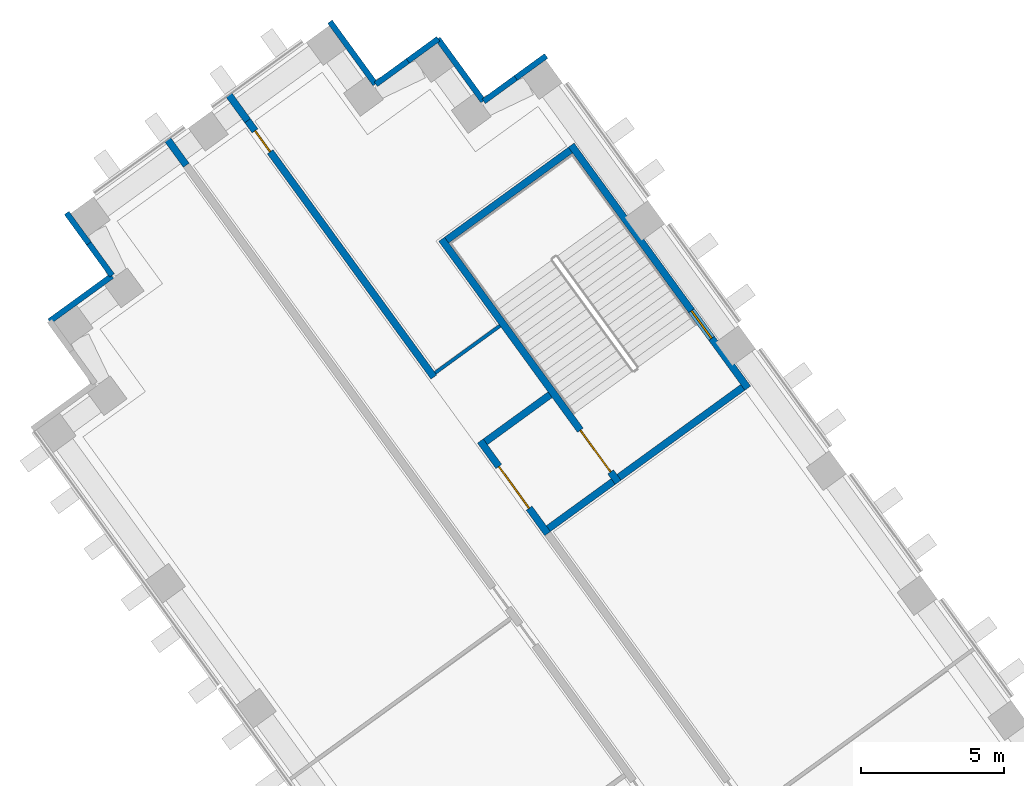
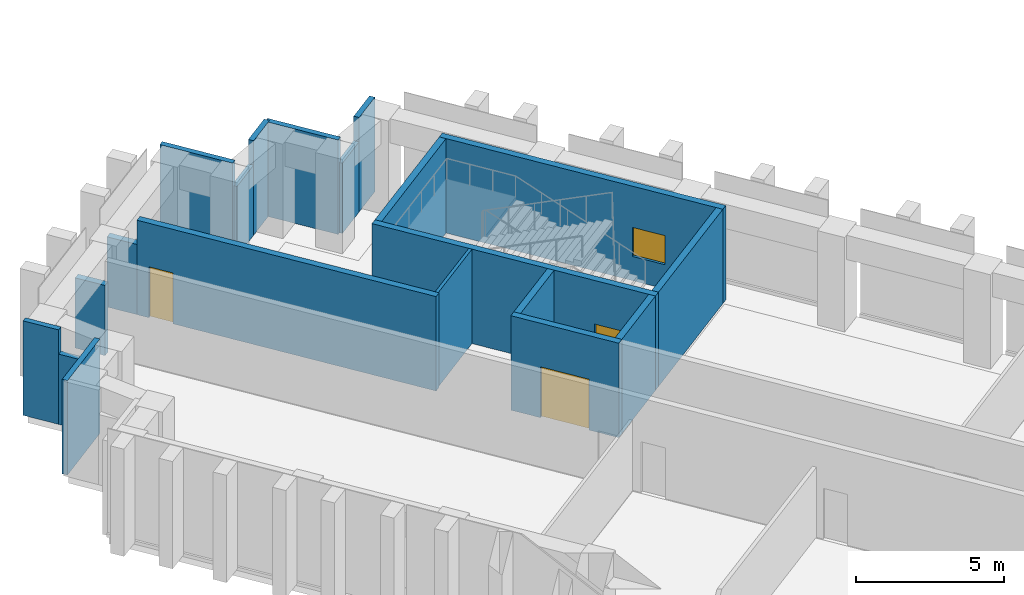
# One storey, part 8 of 14: 20 walls, 3 doors, 1 window, 4 openings.
"""IFC4 building model written with IfcOpenShell, lengths in metres."""

from ifc_helpers import new_model, si_unit, direction, frame, frame_2d, origin, place, context, subcontext, project, spatial, rectangle, extrude, material, layer, layer_set, type_object, element, fill, save


model = new_model("IFC4")

# Units and contexts
model_context = context("Model", 3, precision=1e-05, world=origin(), true_north=direction((0.0, 1.0)))
body_context = subcontext(model_context, "Body", "Model", "MODEL_VIEW")
ifc_project = project(units=[si_unit("LENGTHUNIT", "METRE"), si_unit("AREAUNIT", "SQUARE_METRE"), si_unit("VOLUMEUNIT", "CUBIC_METRE"), si_unit("PLANEANGLEUNIT", "RADIAN"), si_unit("MASSUNIT", "GRAM", prefix="KILO")], contexts=[model_context])

# Site, building, storey
site_placement = place(None, origin())
site = spatial("IfcSite", under=ifc_project, at=site_placement, CompositionType="ELEMENT")
building_placement = place(site_placement, origin())
building = spatial("IfcBuilding", under=site, at=building_placement, Name="Quipu Civic Tower", CompositionType="ELEMENT")
storey_placement = place(building_placement, frame((0.0, 0.0, 20.5)))
storey = spatial("IfcBuildingStorey", under=building, at=storey_placement, Name="L04", CompositionType="ELEMENT", Elevation=20.5)

# Wall, opening, window
ifc_material_1 = material(Name="Concrete C70/85", Category="concrete")
ifc_layer_1 = layer(ifc_material_1, 0.25)
ifc_layer_set_1 = layer_set([ifc_layer_1], Name="Concrete C70/85")
wall_type_1 = type_object("IfcWallType", Name="Core wall 250", PredefinedType="SHEAR", material=ifc_layer_set_1)
wall_1_placement = place(storey_placement, frame((-30.239501953125, 31.06396484375, 0.0), z_axis=(0.0, 0.0, 1.0), x_axis=(-0.587795589702, 0.809009483706, 0.0)))
wall_1 = element("IfcWall", 1, at=wall_1_placement, inside=storey, type_object=wall_type_1, Name="Core wall", PredefinedType="SHEAR", context=body_context, shape_type="SweptSolid", body=[
    extrude(rectangle(XDim=10.5, YDim=0.25, at=frame_2d((5.25, 0.0))), origin(), (0.0, 0.0, 1.0), 3.89990234375),
])
opening_1_placement = place(wall_1_placement, frame((2.14990234375, 0.0, 1.0)))
opening_1 = element("IfcOpeningElement", 2, at=opening_1_placement, cuts=wall_1, Name="Opening SV-6", PredefinedType="OPENING", context=body_context, shape_type="SweptSolid", body=[
    extrude(rectangle(XDim=1.199951171875, YDim=1.199951171875, at=frame_2d((0.60009765625, 0.60009765625))), frame((0.0, 0.135009765625, 0.0), z_axis=(0.0, -1.0, 0.0), x_axis=(1.0, 0.0, 0.0)), (0.0, 0.0, 1.0), 0.27001953125),
])
ifc_material_2 = material(Name="Aluminium louvre", Category="aluminium")
window_type = type_object("IfcWindowType", Name="Stair ventilation louvre 1200 x 1200", PartitioningType="SINGLE_PANEL", PredefinedType="WINDOW", material=ifc_material_2)
window_placement = place(opening_1_placement, origin())
window = element("IfcWindow", 3, at=window_placement, inside=storey, type_object=window_type, Name="Stair ventilation opening", OverallHeight=1.199951171875, OverallWidth=1.199951171875, PartitioningType="SINGLE_PANEL", PredefinedType="WINDOW", context=body_context, shape_type="SweptSolid", body=[
    extrude(rectangle(XDim=1.199951171875, YDim=1.199951171875, at=frame_2d((0.60009765625, 0.60009765625))), frame((0.0, 0.030029296875, 0.0), z_axis=(0.0, -1.0, 0.0), x_axis=(1.0, 0.0, 0.0)), (0.0, 0.0, 1.0), 0.06005859375),
])
fill(opening_1, window)

# Walls
wall_2_placement = place(storey_placement, frame((-30.414306640625, 31.091796875, 0.0), z_axis=(0.0, 0.0, 1.0), x_axis=(-0.8089984606, -0.587810760999, 0.0)))
element("IfcWall", 4, at=wall_2_placement, inside=storey, type_object=wall_type_1, Name="Core wall", PredefinedType="SHEAR", context=body_context, shape_type="SweptSolid", body=[
    extrude(rectangle(XDim=5.35009765625, YDim=0.25, at=frame_2d((2.675048828125, 0.0))), origin(), (0.0, 0.0, 1.0), 3.89990234375),
])
wall_3_placement = place(storey_placement, frame((-36.43896484375, 39.384033203125, 0.0), z_axis=(0.0, 0.0, 1.0), x_axis=(-0.809020161303, -0.587780893365, 0.0)))
element("IfcWall", 5, at=wall_3_placement, inside=storey, type_object=wall_type_1, Name="Core wall", PredefinedType="SHEAR", context=body_context, shape_type="SweptSolid", body=[
    extrude(rectangle(XDim=5.349853515625, YDim=0.25, at=frame_2d((2.6748046875, 0.0))), origin(), (0.0, 0.0, 1.0), 3.89990234375),
])

# Wall, opening, door
wall_4_placement = place(storey_placement, frame((-40.94189453125, 36.26708984375, 0.0), z_axis=(0.0, 0.0, 1.0), x_axis=(0.587795589702, -0.809009483706, 0.0)))
wall_4 = element("IfcWall", 6, at=wall_4_placement, inside=storey, type_object=wall_type_1, Name="Core wall", PredefinedType="SHEAR", context=body_context, shape_type="SweptSolid", body=[
    extrude(rectangle(XDim=10.5, YDim=0.25, at=frame_2d((5.25, 0.0))), origin(), (0.0, 0.0, 1.0), 3.89990234375),
])
opening_2_placement = place(wall_4_placement, frame((8.25, 0.0, 0.0)))
opening_2 = element("IfcOpeningElement", 7, at=opening_2_placement, cuts=wall_4, Name="Opening CD-20", PredefinedType="OPENING", context=body_context, shape_type="SweptSolid", body=[
    extrude(rectangle(XDim=1.800048828125, YDim=2.10009765625, at=frame_2d((0.89990234375, 1.050048828125))), frame((0.0, 0.135009765625, 0.0), z_axis=(0.0, -1.0, 0.0), x_axis=(1.0, 0.0, 0.0)), (0.0, 0.0, 1.0), 0.27001953125),
])
ifc_material_3 = material(Name="Fire rated steel door", Category="steel")
door_type_1 = type_object("IfcDoorType", Name="Fire door FD90 double 1800 x 2100", OperationType="NOTDEFINED", PredefinedType="DOOR", material=ifc_material_3)
door_1_placement = place(opening_2_placement, origin())
door_1 = element("IfcDoor", 8, at=door_1_placement, inside=storey, type_object=door_type_1, Name="Door", OperationType="DOUBLE_DOOR_SINGLE_SWING", OverallHeight=2.10009765625, OverallWidth=1.800048828125, PredefinedType="DOOR", context=body_context, shape_type="SweptSolid", body=[
    extrude(rectangle(XDim=1.800048828125, YDim=2.10009765625, at=frame_2d((0.89990234375, 1.050048828125))), frame((0.0, 0.02490234375, 0.0), z_axis=(0.0, -1.0, 0.0), x_axis=(1.0, 0.0, 0.0)), (0.0, 0.0, 1.0), 0.050048828125),
])
fill(opening_2, door_1)

# Walls
for number, where, z_axis, x_axis, name in (
    (9, (-34.944580078125, 27.800048828125, 0.0), (0.0, 0.0, 1.0), (-0.809041377956, -0.587751689708, 0.0), "Core wall"),
    (10, (-37.14892578125, 30.833984375, 0.0), (0.0, 0.0, 1.0), (-0.808969789945, -0.58785021813, 0.0), "Core wall"),
):
    element("IfcWall", number, at=place(storey_placement, frame(where, z_axis=z_axis, x_axis=x_axis)), inside=storey, type_object=wall_type_1, Name=name, PredefinedType="SHEAR", context=body_context, shape_type="SweptSolid", body=[
        extrude(rectangle(XDim=2.800048828125, YDim=0.25, at=frame_2d((1.39990234375, 0.0))), origin(), (0.0, 0.0, 1.0), 3.89990234375),
    ])

# Wall, opening, door
wall_5_placement = place(storey_placement, frame((-39.588623046875, 29.2158203125, 0.0), z_axis=(0.0, 0.0, 1.0), x_axis=(0.587772420479, -0.809026317077, 0.0)))
wall_5 = element("IfcWall", 11, at=wall_5_placement, inside=storey, type_object=wall_type_1, Name="Core wall", PredefinedType="SHEAR", context=body_context, shape_type="SweptSolid", body=[
    extrude(rectangle(XDim=4.0, YDim=0.25, at=frame_2d((2.0, 0.0))), origin(), (0.0, 0.0, 1.0), 3.89990234375),
])
opening_3_placement = place(wall_5_placement, frame((1.10009765625, 0.0, 0.0)))
opening_3 = element("IfcOpeningElement", 12, at=opening_3_placement, cuts=wall_5, Name="Opening CD-21", PredefinedType="OPENING", context=body_context, shape_type="SweptSolid", body=[
    extrude(rectangle(XDim=1.800048828125, YDim=2.10009765625, at=frame_2d((0.89990234375, 1.050048828125))), frame((0.0, 0.135009765625, 0.0), z_axis=(0.0, -1.0, 0.0), x_axis=(1.0, 0.0, 0.0)), (0.0, 0.0, 1.0), 0.27001953125),
])
door_2_placement = place(opening_3_placement, origin())
door_2 = element("IfcDoor", 13, at=door_2_placement, inside=storey, type_object=door_type_1, Name="Lobby door", OperationType="DOUBLE_DOOR_SINGLE_SWING", OverallHeight=2.10009765625, OverallWidth=1.800048828125, PredefinedType="DOOR", context=body_context, shape_type="SweptSolid", body=[
    extrude(rectangle(XDim=1.800048828125, YDim=2.10009765625, at=frame_2d((0.89990234375, 1.050048828125))), frame((0.0, 0.02490234375, 0.0), z_axis=(0.0, -1.0, 0.0), x_axis=(1.0, 0.0, 0.0)), (0.0, 0.0, 1.0), 0.050048828125),
])
fill(opening_3, door_2)

ifc_material_4 = material(Name="Concrete C50/60", Category="concrete")
ifc_layer_2 = layer(ifc_material_4, 0.25)
ifc_layer_set_2 = layer_set([ifc_layer_2], Name="Concrete C50/60")
wall_type_2 = type_object("IfcWallType", Name="Corridor wall 250 concrete", PredefinedType="SOLIDWALL", material=ifc_layer_set_2)
wall_6_placement = place(storey_placement, frame((-47.724853515625, 40.414306640625, 0.0), z_axis=(0.0, 0.0, 1.0), x_axis=(0.587773291021, -0.809025684612, 0.0)))
wall_6 = element("IfcWall", 14, at=wall_6_placement, inside=storey, type_object=wall_type_2, Name="Corridor wall C03", PredefinedType="SOLIDWALL", context=body_context, shape_type="SweptSolid", body=[
    extrude(rectangle(XDim=11.07861328125, YDim=0.25, at=frame_2d((5.539306640625, 0.0))), origin(), (0.0, 0.0, 1.0), 3.89990234375),
])
opening_4_placement = place(wall_6_placement, frame((0.442138671875, 0.0, 0.0)))
opening_4 = element("IfcOpeningElement", 15, at=opening_4_placement, cuts=wall_6, Name="Opening D010", PredefinedType="OPENING", context=body_context, shape_type="SweptSolid", body=[
    extrude(rectangle(XDim=0.89990234375, YDim=2.10009765625, at=frame_2d((0.449951171875, 1.050048828125))), frame((0.0, 0.135009765625, 0.0), z_axis=(0.0, -1.0, 0.0), x_axis=(1.0, 0.0, 0.0)), (0.0, 0.0, 1.0), 0.27001953125),
])
ifc_material_5 = material(Name="Fire rated timber door set with metal frame", Category="wood")
door_type_2 = type_object("IfcDoorType", Name="Single door 900 x 2100 FD60", OperationType="NOTDEFINED", PredefinedType="DOOR", material=ifc_material_5)
door_3_placement = place(opening_4_placement, origin())
door_3 = element("IfcDoor", 16, at=door_3_placement, inside=storey, type_object=door_type_2, Name="Door D010", OperationType="SINGLE_SWING_LEFT", OverallHeight=2.10009765625, OverallWidth=0.89990234375, PredefinedType="DOOR", context=body_context, shape_type="SweptSolid", body=[
    extrude(rectangle(XDim=0.89990234375, YDim=2.10009765625, at=frame_2d((0.449951171875, 1.050048828125))), frame((0.0, 0.02490234375, 0.0), z_axis=(0.0, -1.0, 0.0), x_axis=(1.0, 0.0, 0.0)), (0.0, 0.0, 1.0), 0.050048828125),
])
fill(opening_4, door_3)

# Walls
wall_7_placement = place(storey_placement, frame((-49.86865234375, 38.8564453125, 0.0), z_axis=(0.0, 0.0, 1.0), x_axis=(-0.587674273289, 0.809097613712, 0.0)))
element("IfcWall", 17, at=wall_7_placement, inside=storey, type_object=wall_type_2, Name="Corridor wall C02", PredefinedType="SOLIDWALL", context=body_context, shape_type="SweptSolid", body=[
    extrude(rectangle(XDim=1.109130859375, YDim=0.25, at=frame_2d((0.5546875, 0.0))), origin(), (0.0, 0.0, 1.0), 2.89990234375),
])
wall_8_placement = place(storey_placement, frame((-47.724853515625, 40.414306640625, 0.0), z_axis=(0.0, 0.0, 1.0), x_axis=(-0.587883639643, 0.808945502639, 0.0)))
element("IfcWall", 18, at=wall_8_placement, inside=storey, type_object=wall_type_2, Name="Corridor wall C03", PredefinedType="SOLIDWALL", context=body_context, shape_type="SweptSolid", body=[
    extrude(rectangle(XDim=1.10888671875, YDim=0.25, at=frame_2d((0.554443359375, 0.0))), origin(), (0.0, 0.0, 1.0), 2.89990234375),
])
ifc_material_6 = material(Name="Gypsum plasterboard on light gauge framing")
ifc_layer_3 = layer(ifc_material_6, 0.1201171875)
ifc_layer_set_3 = layer_set([ifc_layer_3], Name="Gypsum plasterboard on light gauge framing")
wall_type_3 = type_object("IfcWallType", Name="Partition 120 plasterboard", PredefinedType="PARTITIONING", material=ifc_layer_set_3)
wall_9_placement = place(storey_placement, frame((-41.166015625, 31.59912109375, 0.0), z_axis=(0.0, 0.0, 1.0), x_axis=(0.809090262332, 0.587684394381, 0.0)))
element("IfcWall", 19, at=wall_9_placement, inside=storey, type_object=wall_type_3, Name="Partition P13", PredefinedType="PARTITIONING", context=body_context, shape_type="SweptSolid", body=[
    extrude(rectangle(XDim=2.80078125, YDim=0.1201171875, at=frame_2d((1.400390625, 0.0))), origin(), (0.0, 0.0, 1.0), 3.89990234375),
])
ifc_material_7 = material(Name="Precast concrete C40/50", Category="concrete")
wall_type_4 = type_object("IfcWallType", Name="Precast cladding wall", PredefinedType="SOLIDWALL", material=ifc_material_7)
wall_10_placement = place(storey_placement, frame((-37.286865234375, 42.677734375, 0.0), z_axis=(0.0, 0.0, 1.0), x_axis=(-0.809065186597, -0.587718915671, 0.0)))
element("IfcWall", 20, at=wall_10_placement, inside=storey, type_object=wall_type_4, Name="Precast cladding wall L04 P08", PredefinedType="SOLIDWALL", context=body_context, shape_type="SweptSolid", body=[
    extrude(rectangle(XDim=1.314697265625, YDim=0.199951171875, at=frame_2d((0.6572265625, 0.0))), origin(), (0.0, 0.0, 1.0), 3.89990234375),
])
wall_11_placement = place(storey_placement, frame((-38.3505859375, 41.905029296875, 0.0), z_axis=(0.0, 0.0, 1.0), x_axis=(-0.809002762913, -0.58780483972, 0.0)))
element("IfcWall", 21, at=wall_11_placement, inside=storey, type_object=wall_type_4, Name="Precast cladding wall L04 P08 a", PredefinedType="SOLIDWALL", context=body_context, shape_type="SweptSolid", body=[
    extrude(rectangle(XDim=1.38525390625, YDim=0.199951171875, at=frame_2d((0.692626953125, 0.0))), origin(), (0.0, 0.0, 1.0), 2.89990234375),
])
wall_12_placement = place(storey_placement, frame((-39.488037109375, 41.093505859375, 0.0), z_axis=(0.0, 0.0, 1.0), x_axis=(-0.587806000234, 0.809001919707, 0.0)))
element("IfcWall", 22, at=wall_12_placement, inside=storey, type_object=wall_type_4, Name="Precast cladding wall L04 P09", PredefinedType="SOLIDWALL", context=body_context, shape_type="SweptSolid", body=[
    extrude(rectangle(XDim=2.69970703125, YDim=0.199951171875, at=frame_2d((1.349853515625, 0.0))), origin(), (0.0, 0.0, 1.0), 3.89990234375),
])
wall_13_placement = place(storey_placement, frame((-41.05810546875, 43.275146484375, 0.0), z_axis=(0.0, 0.0, 1.0), x_axis=(-0.809056865039, -0.587730371117, 0.0)))
element("IfcWall", 23, at=wall_13_placement, inside=storey, type_object=wall_type_4, Name="Precast cladding wall L04 P10", PredefinedType="SOLIDWALL", context=body_context, shape_type="SweptSolid", body=[
    extrude(rectangle(XDim=1.31591796875, YDim=0.199951171875, at=frame_2d((0.657958984375, 0.0))), origin(), (0.0, 0.0, 1.0), 3.89990234375),
])
wall_14_placement = place(storey_placement, frame((-42.122802734375, 42.501708984375, 0.0), z_axis=(0.0, 0.0, 1.0), x_axis=(-0.808926734208, -0.5879094647, 0.0)))
element("IfcWall", 24, at=wall_14_placement, inside=storey, type_object=wall_type_4, Name="Precast cladding wall L04 P10 a", PredefinedType="SOLIDWALL", context=body_context, shape_type="SweptSolid", body=[
    extrude(rectangle(XDim=1.384033203125, YDim=0.199951171875, at=frame_2d((0.69189453125, 0.0))), origin(), (0.0, 0.0, 1.0), 2.89990234375),
])
wall_15_placement = place(storey_placement, frame((-43.25927734375, 41.690673828125, 0.0), z_axis=(0.0, 0.0, 1.0), x_axis=(-0.587822180636, 0.808990163075, 0.0)))
element("IfcWall", 25, at=wall_15_placement, inside=storey, type_object=wall_type_4, Name="Precast cladding wall L04 P11", PredefinedType="SOLIDWALL", context=body_context, shape_type="SweptSolid", body=[
    extrude(rectangle(XDim=2.699951171875, YDim=0.199951171875, at=frame_2d((1.35009765625, 0.0))), origin(), (0.0, 0.0, 1.0), 3.89990234375),
])
wall_16_placement = place(storey_placement, frame((-54.0498046875, 37.1884765625, 0.0), z_axis=(0.0, 0.0, 1.0), x_axis=(0.58786388341, -0.808959859686, 0.0)))
element("IfcWall", 26, at=wall_16_placement, inside=storey, type_object=wall_type_4, Name="Precast cladding wall L04 P14", PredefinedType="SOLIDWALL", context=body_context, shape_type="SweptSolid", body=[
    extrude(rectangle(XDim=1.320556640625, YDim=0.199951171875, at=frame_2d((0.66015625, 0.0))), origin(), (0.0, 0.0, 1.0), 3.89990234375),
])
wall_17_placement = place(storey_placement, frame((-53.2734375, 36.1201171875, 0.0), z_axis=(0.0, 0.0, 1.0), x_axis=(0.587782252522, -0.809019173827, 0.0)))
element("IfcWall", 27, at=wall_17_placement, inside=storey, type_object=wall_type_4, Name="Precast cladding wall L04 P14 a", PredefinedType="SOLIDWALL", context=body_context, shape_type="SweptSolid", body=[
    extrude(rectangle(XDim=1.37939453125, YDim=0.199951171875, at=frame_2d((0.689697265625, 0.0))), origin(), (0.0, 0.0, 1.0), 2.89990234375),
])
wall_18_placement = place(storey_placement, frame((-52.46533203125, 34.9873046875, 0.0), z_axis=(0.0, 0.0, 1.0), x_axis=(-0.809033161865, -0.587762999008, 0.0)))
element("IfcWall", 28, at=wall_18_placement, inside=storey, type_object=wall_type_4, Name="Precast cladding wall L04 P15", PredefinedType="SOLIDWALL", context=body_context, shape_type="SweptSolid", body=[
    extrude(rectangle(XDim=2.699951171875, YDim=0.199951171875, at=frame_2d((1.35009765625, 0.0))), origin(), (0.0, 0.0, 1.0), 3.89990234375),
])

save(model, "model.ifc")
